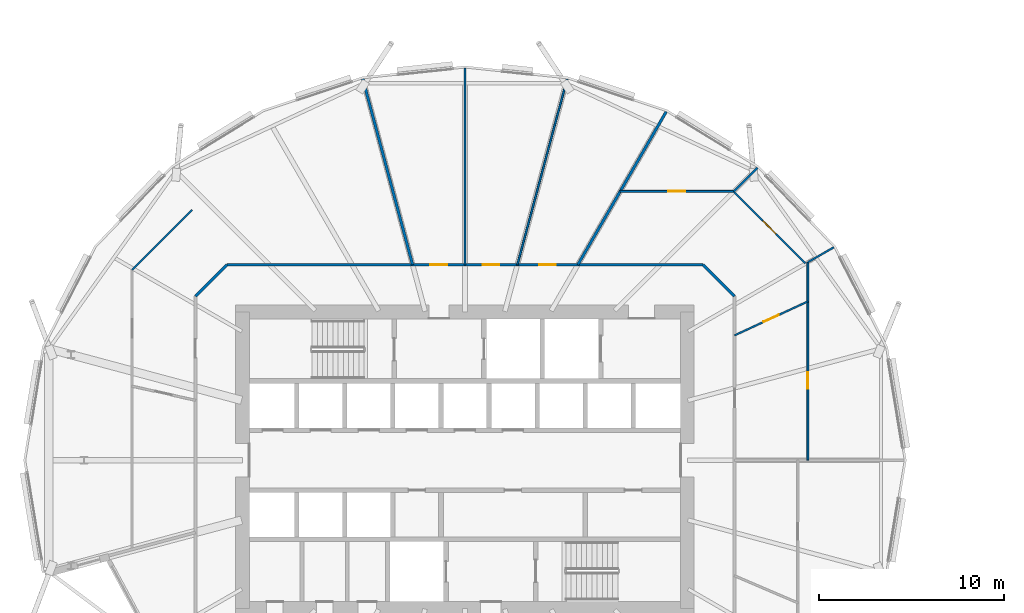
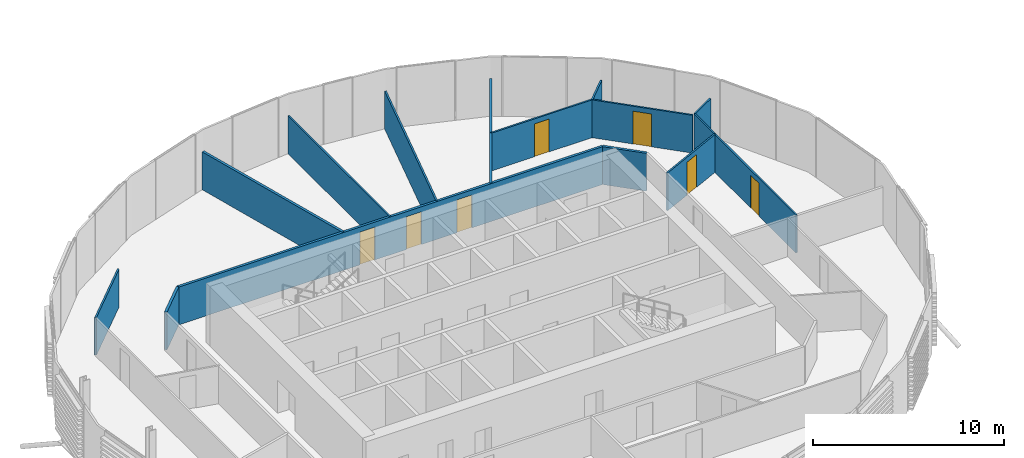
# One storey, part 23 of 40: 14 walls, 7 doors, 7 openings.
"""IFC4 building model written with IfcOpenShell, lengths in metres."""

from ifc_helpers import new_model, si_unit, direction, frame, frame_2d, origin, place, context, subcontext, project, spatial, rectangle, extrude, material, layer, layer_set, type_object, element, fill, save


model = new_model("IFC4")

# Units and contexts
model_context = context("Model", 3, precision=1e-05, world=origin(), true_north=direction((0.0, 1.0)))
body_context = subcontext(model_context, "Body", "Model", "MODEL_VIEW")
ifc_project = project(units=[si_unit("LENGTHUNIT", "METRE"), si_unit("AREAUNIT", "SQUARE_METRE"), si_unit("VOLUMEUNIT", "CUBIC_METRE"), si_unit("PLANEANGLEUNIT", "RADIAN"), si_unit("MASSUNIT", "GRAM", prefix="KILO")], contexts=[model_context])

# Site, building, storey
site_placement = place(None, origin())
site = spatial("IfcSite", under=ifc_project, at=site_placement, CompositionType="ELEMENT")
building_placement = place(site_placement, origin())
building = spatial("IfcBuilding", under=site, at=building_placement, Name="Rimbun Link Towers", CompositionType="ELEMENT")
storey_placement = place(building_placement, frame((0.0, 0.0, 89.199951171875)))
storey = spatial("IfcBuildingStorey", under=building, at=storey_placement, Name="L21", CompositionType="ELEMENT", Elevation=89.199951171875)

# Wall, openings, doors
ifc_material_1 = material(Name="Plasterboard on steel stud, mineral wool", Category="steel")
ifc_layer_1 = layer(ifc_material_1, 0.14990234375)
ifc_layer_set_1 = layer_set([ifc_layer_1], Name="Corridor wall EI 30 150 mm")
wall_type_1 = type_object("IfcWallType", Name="Corridor wall EI 30 150 mm", PredefinedType="PARTITIONING", material=ifc_layer_set_1)
wall_1_placement = place(storey_placement, frame((-44.601806640625, 10.550048828125, 0.0), z_axis=(0.0, 0.0, 1.0), x_axis=(1.0, 0.0, 0.0)))
wall_1 = element("IfcWall", 1, at=wall_1_placement, inside=storey, type_object=wall_type_1, Name="Corridor wall EI 30 150 mm", PredefinedType="PARTITIONING", context=body_context, shape_type="SweptSolid", body=[
    extrude(rectangle(XDim=25.70361328125, YDim=0.14990234375, at=frame_2d((12.851806640625, 0.0))), origin(), (0.0, 0.0, 1.0), 2.420166015625),
])
opening_1_placement = place(wall_1_placement, frame((16.860595703125, 0.0, 0.0)))
opening_1 = element("IfcOpeningElement", 2, at=opening_1_placement, cuts=wall_1, Name="Opening D02", PredefinedType="OPENING", context=body_context, shape_type="SweptSolid", body=[
    extrude(rectangle(XDim=0.89990234375, YDim=2.10009765625, at=frame_2d((0.449951171875, 1.050048828125))), frame((0.0, 0.0849609375, 0.0), z_axis=(0.0, -1.0, 0.0), x_axis=(1.0, 0.0, 0.0)), (0.0, 0.0, 1.0), 0.169921875),
])
opening_2_placement = place(wall_1_placement, frame((13.815185546875, 0.0, 0.0)))
opening_2 = element("IfcOpeningElement", 3, at=opening_2_placement, cuts=wall_1, Name="Opening D02", PredefinedType="OPENING", context=body_context, shape_type="SweptSolid", body=[
    extrude(rectangle(XDim=0.89990234375, YDim=2.10009765625, at=frame_2d((0.449951171875, 1.050048828125))), frame((0.0, 0.0849609375, 0.0), z_axis=(0.0, -1.0, 0.0), x_axis=(1.0, 0.0, 0.0)), (0.0, 0.0, 1.0), 0.169921875),
])
opening_3_placement = place(wall_1_placement, frame((10.98828125, 0.0, 0.0)))
opening_3 = element("IfcOpeningElement", 4, at=opening_3_placement, cuts=wall_1, Name="Opening D02", PredefinedType="OPENING", context=body_context, shape_type="SweptSolid", body=[
    extrude(rectangle(XDim=0.89990234375, YDim=2.10009765625, at=frame_2d((0.449951171875, 1.050048828125))), frame((0.0, 0.0849609375, 0.0), z_axis=(0.0, -1.0, 0.0), x_axis=(1.0, 0.0, 0.0)), (0.0, 0.0, 1.0), 0.169921875),
])
ifc_material_2 = material(Name="Fire-resisting timber door leaf", Category="wood")
door_type_1 = type_object("IfcDoorType", Name="Fire door FD30S 900", OperationType="NOTDEFINED", PredefinedType="DOOR", material=ifc_material_2)
door_1_placement = place(opening_1_placement, origin())
door_1 = element("IfcDoor", 5, at=door_1_placement, inside=storey, type_object=door_type_1, Name="Fire door FD30S 900 to Cellular office", OperationType="SINGLE_SWING_LEFT", OverallHeight=2.10009765625, OverallWidth=0.89990234375, PredefinedType="DOOR", context=body_context, shape_type="SweptSolid", body=[
    extrude(rectangle(XDim=0.89990234375, YDim=2.10009765625, at=frame_2d((0.449951171875, 1.050048828125))), frame((0.0, 0.02490234375, 0.0), z_axis=(0.0, -1.0, 0.0), x_axis=(1.0, 0.0, 0.0)), (0.0, 0.0, 1.0), 0.050048828125),
])
fill(opening_1, door_1)
door_2_placement = place(opening_2_placement, origin())
door_2 = element("IfcDoor", 6, at=door_2_placement, inside=storey, type_object=door_type_1, Name="Fire door FD30S 900 to Meeting room", OperationType="SINGLE_SWING_RIGHT", OverallHeight=2.10009765625, OverallWidth=0.89990234375, PredefinedType="DOOR", context=body_context, shape_type="SweptSolid", body=[
    extrude(rectangle(XDim=0.89990234375, YDim=2.10009765625, at=frame_2d((0.449951171875, 1.050048828125))), frame((0.0, 0.02490234375, 0.0), z_axis=(0.0, -1.0, 0.0), x_axis=(1.0, 0.0, 0.0)), (0.0, 0.0, 1.0), 0.050048828125),
])
fill(opening_2, door_2)
door_3_placement = place(opening_3_placement, origin())
door_3 = element("IfcDoor", 7, at=door_3_placement, inside=storey, type_object=door_type_1, Name="Fire door FD30S 900 to Meeting room", OperationType="SINGLE_SWING_LEFT", OverallHeight=2.10009765625, OverallWidth=0.89990234375, PredefinedType="DOOR", context=body_context, shape_type="SweptSolid", body=[
    extrude(rectangle(XDim=0.89990234375, YDim=2.10009765625, at=frame_2d((0.449951171875, 1.050048828125))), frame((0.0, 0.02490234375, 0.0), z_axis=(0.0, -1.0, 0.0), x_axis=(1.0, 0.0, 0.0)), (0.0, 0.0, 1.0), 0.050048828125),
])
fill(opening_3, door_3)

# Walls
for number, where, z_axis, x_axis, name in (
    (8, (-17.199951171875, 8.851806640625, 0.0), (0.0, 0.0, 1.0), (-0.707106781187, 0.707106781187, 0.0), "Corridor wall EI 30 150 mm"),
    (9, (-44.601806640625, 10.550048828125, 0.0), (0.0, 0.0, 1.0), (-0.707106781187, -0.707106781187, 0.0), "Corridor wall EI 30 150 mm"),
):
    element("IfcWall", number, at=place(storey_placement, frame(where, z_axis=z_axis, x_axis=x_axis)), inside=storey, type_object=wall_type_1, Name=name, PredefinedType="PARTITIONING", context=body_context, shape_type="SweptSolid", body=[
        extrude(rectangle(XDim=2.401611328125, YDim=0.14990234375, at=frame_2d((1.20068359375, 0.0))), origin(), (0.0, 0.0, 1.0), 2.420166015625),
    ])

# Wall, opening, door
ifc_material_3 = material(Name="Plasterboard on steel stud", Category="steel")
ifc_layer_2 = layer(ifc_material_3, 0.10009765625)
ifc_layer_set_2 = layer_set([ifc_layer_2], Name="Plasterboard partition 100 mm")
wall_type_2 = type_object("IfcWallType", Name="Plasterboard partition 100 mm", PredefinedType="PARTITIONING", material=ifc_layer_set_2)
wall_2_placement = place(storey_placement, frame((-17.199951171875, 6.73779296875, 0.0), z_axis=(0.0, 0.0, 1.0), x_axis=(0.907408442515, 0.420249828617, 0.0)))
wall_2 = element("IfcWall", 10, at=wall_2_placement, inside=storey, type_object=wall_type_2, Name="Plasterboard partition 100 mm", PredefinedType="PARTITIONING", context=body_context, shape_type="SweptSolid", body=[
    extrude(rectangle(XDim=4.364013671875, YDim=0.10009765625, at=frame_2d((2.18212890625, 0.0))), origin(), (0.0, 0.0, 1.0), 2.420166015625),
])
opening_4_placement = place(wall_2_placement, frame((1.73193359375, 0.0, 0.0)))
opening_4 = element("IfcOpeningElement", 11, at=opening_4_placement, cuts=wall_2, Name="Opening D04", PredefinedType="OPENING", context=body_context, shape_type="SweptSolid", body=[
    extrude(rectangle(XDim=0.89990234375, YDim=2.10009765625, at=frame_2d((0.449951171875, 1.050048828125))), frame((0.0, 0.06005859375, 0.0), z_axis=(0.0, -1.0, 0.0), x_axis=(1.0, 0.0, 0.0)), (0.0, 0.0, 1.0), 0.1201171875),
])
ifc_material_4 = material(Name="Timber door leaf", Category="wood")
door_type_2 = type_object("IfcDoorType", Name="Flush door 900", OperationType="NOTDEFINED", PredefinedType="DOOR", material=ifc_material_4)
door_4_placement = place(opening_4_placement, origin())
door_4 = element("IfcDoor", 12, at=door_4_placement, inside=storey, type_object=door_type_2, Name="Flush door 900 to Meeting room", OperationType="SINGLE_SWING_RIGHT", OverallHeight=2.10009765625, OverallWidth=0.89990234375, PredefinedType="DOOR", context=body_context, shape_type="SweptSolid", body=[
    extrude(rectangle(XDim=0.89990234375, YDim=2.10009765625, at=frame_2d((0.449951171875, 1.050048828125))), frame((0.0, 0.02490234375, 0.0), z_axis=(0.0, -1.0, 0.0), x_axis=(1.0, 0.0, 0.0)), (0.0, 0.0, 1.0), 0.050048828125),
])
fill(opening_4, door_4)

wall_3_placement = place(storey_placement, frame((-13.239990234375, 10.686767578125, 0.0), z_axis=(0.0, 0.0, 1.0), x_axis=(0.0, -1.0, 0.0)))
wall_3 = element("IfcWall", 13, at=wall_3_placement, inside=storey, type_object=wall_type_2, Name="Plasterboard partition 100 mm", PredefinedType="PARTITIONING", context=body_context, shape_type="SweptSolid", body=[
    extrude(rectangle(XDim=10.686767578125, YDim=0.10009765625, at=frame_2d((5.34326171875, 0.0))), origin(), (0.0, 0.0, 1.0), 2.420166015625),
])
opening_5_placement = place(wall_3_placement, frame((5.935791015625, 0.0, 0.0)))
opening_5 = element("IfcOpeningElement", 14, at=opening_5_placement, cuts=wall_3, Name="Opening D04", PredefinedType="OPENING", context=body_context, shape_type="SweptSolid", body=[
    extrude(rectangle(XDim=0.89990234375, YDim=2.10009765625, at=frame_2d((0.449951171875, 1.050048828125))), frame((0.0, 0.06005859375, 0.0), z_axis=(0.0, -1.0, 0.0), x_axis=(1.0, 0.0, 0.0)), (0.0, 0.0, 1.0), 0.1201171875),
])
door_5_placement = place(opening_5_placement, origin())
door_5 = element("IfcDoor", 15, at=door_5_placement, inside=storey, type_object=door_type_2, Name="Flush door 900 to Executive office", OperationType="SINGLE_SWING_LEFT", OverallHeight=2.10009765625, OverallWidth=0.89990234375, PredefinedType="DOOR", context=body_context, shape_type="SweptSolid", body=[
    extrude(rectangle(XDim=0.89990234375, YDim=2.10009765625, at=frame_2d((0.449951171875, 1.050048828125))), frame((0.0, 0.02490234375, 0.0), z_axis=(0.0, -1.0, 0.0), x_axis=(1.0, 0.0, 0.0)), (0.0, 0.0, 1.0), 0.050048828125),
])
fill(opening_5, door_5)

wall_4_placement = place(storey_placement, frame((-17.2490234375, 14.5009765625, 0.0), z_axis=(0.0, 0.0, 1.0), x_axis=(0.707106781187, -0.707106781187, 0.0)))
wall_4 = element("IfcWall", 16, at=wall_4_placement, inside=storey, type_object=wall_type_2, Name="Plasterboard partition 100 mm", PredefinedType="PARTITIONING", context=body_context, shape_type="SweptSolid", body=[
    extrude(rectangle(XDim=5.47119140625, YDim=0.10009765625, at=frame_2d((2.735595703125, 0.0))), origin(), (0.0, 0.0, 1.0), 2.420166015625),
])
opening_6_placement = place(wall_4_placement, frame((2.235595703125, 0.0, 0.0)))
opening_6 = element("IfcOpeningElement", 17, at=opening_6_placement, cuts=wall_4, Name="Opening D03", PredefinedType="OPENING", context=body_context, shape_type="SweptSolid", body=[
    extrude(rectangle(XDim=1.0, YDim=2.10009765625, at=frame_2d((0.5, 1.050048828125))), frame((0.0, 0.06005859375, 0.0), z_axis=(0.0, -1.0, 0.0), x_axis=(1.0, 0.0, 0.0)), (0.0, 0.0, 1.0), 0.1201171875),
])
ifc_material_5 = material(Name="Timber door leaf", Category="wood")
door_type_3 = type_object("IfcDoorType", Name="Flush door 1000", OperationType="NOTDEFINED", PredefinedType="DOOR", material=ifc_material_5)
door_6_placement = place(opening_6_placement, origin())
door_6 = element("IfcDoor", 18, at=door_6_placement, inside=storey, type_object=door_type_3, Name="Flush door 1000 to Open office", OperationType="SINGLE_SWING_LEFT", OverallHeight=2.10009765625, OverallWidth=1.0, PredefinedType="DOOR", context=body_context, shape_type="SweptSolid", body=[
    extrude(rectangle(XDim=1.0, YDim=2.10009765625, at=frame_2d((0.5, 1.050048828125))), frame((0.0, 0.02490234375, 0.0), z_axis=(0.0, -1.0, 0.0), x_axis=(1.0, 0.0, 0.0)), (0.0, 0.0, 1.0), 0.050048828125),
])
fill(opening_6, door_6)

wall_5_placement = place(storey_placement, frame((-23.372802734375, 14.510009765625, 0.0), z_axis=(0.0, 0.0, 1.0), x_axis=(1.0, 0.0, 0.0)))
wall_5 = element("IfcWall", 19, at=wall_5_placement, inside=storey, type_object=wall_type_2, Name="Plasterboard partition 100 mm", PredefinedType="PARTITIONING", context=body_context, shape_type="SweptSolid", body=[
    extrude(rectangle(XDim=6.11474609375, YDim=0.10009765625, at=frame_2d((3.057373046875, 0.0))), origin(), (0.0, 0.0, 1.0), 2.420166015625),
])
opening_7_placement = place(wall_5_placement, frame((2.607421875, 0.0, 0.0)))
opening_7 = element("IfcOpeningElement", 20, at=opening_7_placement, cuts=wall_5, Name="Opening D04", PredefinedType="OPENING", context=body_context, shape_type="SweptSolid", body=[
    extrude(rectangle(XDim=0.89990234375, YDim=2.10009765625, at=frame_2d((0.449951171875, 1.050048828125))), frame((0.0, 0.06005859375, 0.0), z_axis=(0.0, -1.0, 0.0), x_axis=(1.0, 0.0, 0.0)), (0.0, 0.0, 1.0), 0.1201171875),
])
door_7_placement = place(opening_7_placement, origin())
door_7 = element("IfcDoor", 21, at=door_7_placement, inside=storey, type_object=door_type_2, Name="Flush door 900 to Boardroom", OperationType="SINGLE_SWING_RIGHT", OverallHeight=2.10009765625, OverallWidth=0.89990234375, PredefinedType="DOOR", context=body_context, shape_type="SweptSolid", body=[
    extrude(rectangle(XDim=0.89990234375, YDim=2.10009765625, at=frame_2d((0.449951171875, 1.050048828125))), frame((0.0, 0.02490234375, 0.0), z_axis=(0.0, -1.0, 0.0), x_axis=(1.0, 0.0, 0.0)), (0.0, 0.0, 1.0), 0.050048828125),
])
fill(opening_7, door_7)

# Walls
wall_6_placement = place(storey_placement, frame((-11.84326171875, 11.4931640625, 0.0), z_axis=(0.0, 0.0, 1.0), x_axis=(-0.866026773083, -0.499997628298, 0.0)))
element("IfcWall", 22, at=wall_6_placement, inside=storey, type_object=wall_type_2, Name="Plasterboard partition 100 mm", PredefinedType="PARTITIONING", context=body_context, shape_type="SweptSolid", body=[
    extrude(rectangle(XDim=1.61279296875, YDim=0.10009765625, at=frame_2d((0.806396484375, 0.0))), origin(), (0.0, 0.0, 1.0), 2.420166015625),
])
wall_7_placement = place(storey_placement, frame((-15.96142578125, 15.78857421875, 0.0), z_axis=(0.0, 0.0, 1.0), x_axis=(-0.707106781187, -0.707106781187, 0.0)))
element("IfcWall", 23, at=wall_7_placement, inside=storey, type_object=wall_type_2, Name="Plasterboard partition 100 mm", PredefinedType="PARTITIONING", context=body_context, shape_type="SweptSolid", body=[
    extrude(rectangle(XDim=1.821044921875, YDim=0.10009765625, at=frame_2d((0.91064453125, 0.0))), origin(), (0.0, 0.0, 1.0), 2.420166015625),
])
wall_8_placement = place(storey_placement, frame((-26.234130859375, 20.585205078125, 0.0), z_axis=(0.0, 0.0, 1.0), x_axis=(-0.258823789622, -0.965924554986, 0.0)))
element("IfcWall", 24, at=wall_8_placement, inside=storey, type_object=wall_type_2, Name="Plasterboard partition 100 mm", PredefinedType="PARTITIONING", context=body_context, shape_type="SweptSolid", body=[
    extrude(rectangle(XDim=10.38916015625, YDim=0.10009765625, at=frame_2d((5.194580078125, 0.0))), origin(), (0.0, 0.0, 1.0), 2.420166015625),
])
wall_9_placement = place(storey_placement, frame((-31.75, 21.166015625, 0.0), z_axis=(0.0, 0.0, 1.0), x_axis=(0.0, -1.0, 0.0)))
element("IfcWall", 25, at=wall_9_placement, inside=storey, type_object=wall_type_2, Name="Plasterboard partition 100 mm", PredefinedType="PARTITIONING", context=body_context, shape_type="SweptSolid", body=[
    extrude(rectangle(XDim=10.615966796875, YDim=0.10009765625, at=frame_2d((5.30810546875, 0.0))), origin(), (0.0, 0.0, 1.0), 2.420166015625),
])
wall_10_placement = place(storey_placement, frame((-46.477294921875, 13.510986328125, 0.0), z_axis=(0.0, 0.0, 1.0), x_axis=(-0.707106781187, -0.707106781187, 0.0)))
element("IfcWall", 26, at=wall_10_placement, inside=storey, type_object=wall_type_2, Name="Plasterboard partition 100 mm", PredefinedType="PARTITIONING", context=body_context, shape_type="SweptSolid", body=[
    extrude(rectangle(XDim=4.5859375, YDim=0.10009765625, at=frame_2d((2.29296875, 0.0))), origin(), (0.0, 0.0, 1.0), 2.420166015625),
])
ifc_material_6 = material(Name="Plasterboard on steel stud, mineral wool", Category="steel")
ifc_layer_3 = layer(ifc_material_6, 0.14990234375)
ifc_layer_set_3 = layer_set([ifc_layer_3], Name="Tenancy separation wall EI 60 150 mm")
wall_type_3 = type_object("IfcWallType", Name="Tenancy separation wall EI 60 150 mm", PredefinedType="PARTITIONING", material=ifc_layer_set_3)
wall_11_placement = place(storey_placement, frame((-25.658935546875, 10.550048828125, 0.0), z_axis=(0.0, 0.0, 1.0), x_axis=(0.499988974131, 0.86603176948, 0.0)))
element("IfcWall", 27, at=wall_11_placement, inside=storey, type_object=wall_type_3, Name="Tenancy separation wall EI 60 150 mm", PredefinedType="PARTITIONING", context=body_context, shape_type="SweptSolid", body=[
    extrude(rectangle(XDim=9.541748046875, YDim=0.14990234375, at=frame_2d((4.77099609375, 0.0))), origin(), (0.0, 0.0, 1.0), 2.420166015625),
])
wall_12_placement = place(storey_placement, frame((-34.576904296875, 10.550048828125, 0.0), z_axis=(0.0, 0.0, 1.0), x_axis=(-0.258823789622, 0.965924554986, 0.0)))
element("IfcWall", 28, at=wall_12_placement, inside=storey, type_object=wall_type_3, Name="Tenancy separation wall EI 60 150 mm", PredefinedType="PARTITIONING", context=body_context, shape_type="SweptSolid", body=[
    extrude(rectangle(XDim=10.38916015625, YDim=0.14990234375, at=frame_2d((5.194580078125, 0.0))), origin(), (0.0, 0.0, 1.0), 2.420166015625),
])

save(model, "model.ifc")
